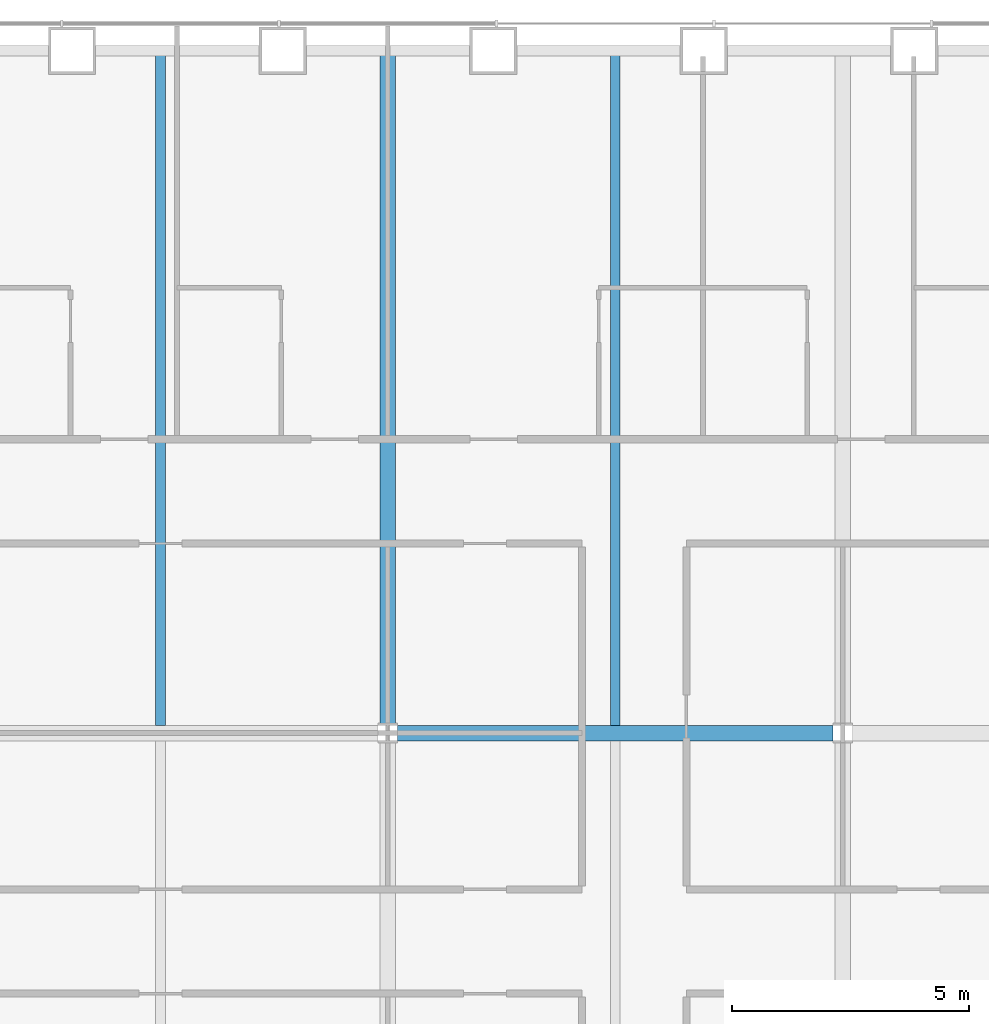
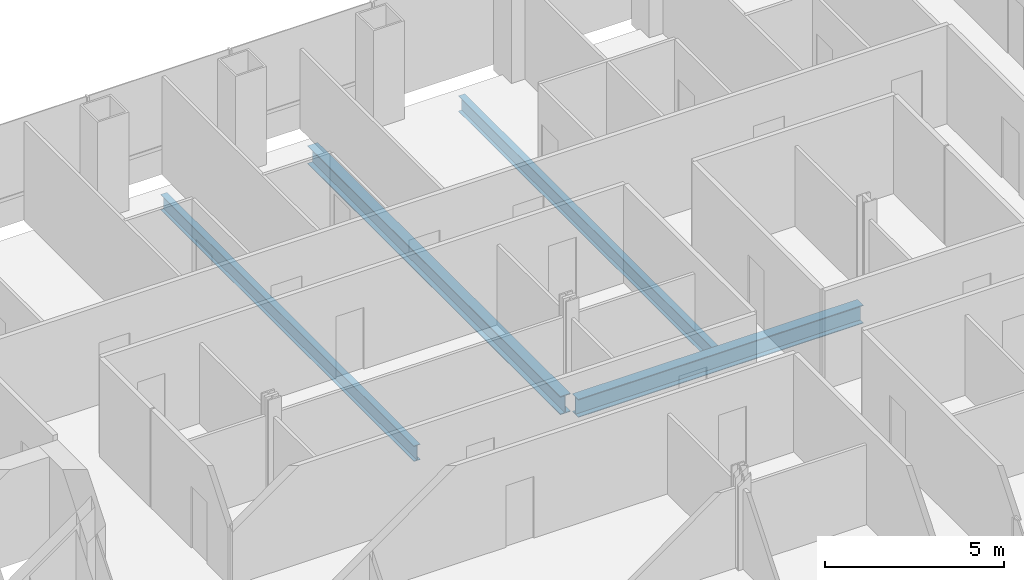
# One storey, part 8 of 23: 4 beams.
"""IFC4 building model written with IfcOpenShell, lengths in metres."""

from ifc_helpers import new_model, si_unit, direction, frame, origin, origin_2d, place, context, subcontext, project, spatial, i_section, extrude, material, material_profile, profile_set, type_object, element, save


model = new_model("IFC4")

# Units and contexts
model_context = context("Model", 3, precision=1e-05, world=origin(), true_north=direction((0.0, 1.0)))
body_context = subcontext(model_context, "Body", "Model", "MODEL_VIEW")
ifc_project = project(units=[si_unit("LENGTHUNIT", "METRE"), si_unit("AREAUNIT", "SQUARE_METRE"), si_unit("VOLUMEUNIT", "CUBIC_METRE"), si_unit("PLANEANGLEUNIT", "RADIAN"), si_unit("MASSUNIT", "GRAM", prefix="KILO")], contexts=[model_context])

# Site, building, storey
site_placement = place(None, origin())
site = spatial("IfcSite", under=ifc_project, at=site_placement, CompositionType="ELEMENT")
building_placement = place(site_placement, origin())
building = spatial("IfcBuilding", under=site, at=building_placement, Name="Cobrizo Arcos Hotel Tower", CompositionType="ELEMENT")
storey_placement = place(building_placement, frame((0.0, 0.0, 49.5)))
storey = spatial("IfcBuildingStorey", under=building, at=storey_placement, Name="L10", CompositionType="ELEMENT", Elevation=49.5)

# Beams
ifc_material = material(Name="Steel ASTM A992 Grade 50", Category="steel")
ifc_material_profile_1 = material_profile(ifc_material, i_section(OverallWidth=0.209228515625, OverallDepth=0.533447265625, WebThickness=0.01025390625, FlangeThickness=0.015625, at=origin_2d()), Name="W21X62")
ifc_profile_set_1 = profile_set([ifc_material_profile_1], Name="Steel ASTM A992 Grade 50")
beam_type_1 = type_object("IfcBeamType", Name="W21X62 joist", PredefinedType="JOIST", material=ifc_profile_set_1)
for number, where, z_axis, x_axis, name in (
    (1, (-4.800048828125, 9.763916015625, -0.416748046875), (0.0, 1.0, 0.0), (-1.0, 0.0, 0.0), "Floor joist J1, L10, no. 010"),
    (2, (4.800048828125, 9.763916015625, -0.416748046875), (0.0, 1.0, 0.0), (-1.0, 0.0, 0.0), "Floor joist J1, L10, no. 014"),
):
    element("IfcBeam", number, at=place(storey_placement, frame(where, z_axis=z_axis, x_axis=x_axis)), inside=storey, type_object=beam_type_1, Name=name, PredefinedType="JOIST", context=body_context, shape_type="SweptSolid", body=[
        extrude(i_section(OverallWidth=0.209228515625, OverallDepth=0.533447265625, WebThickness=0.01025390625, FlangeThickness=0.015625, at=origin_2d()), origin(), (0.0, 0.0, 1.0), 14.14599609375),
    ])
ifc_material_profile_2 = material_profile(ifc_material, i_section(OverallWidth=0.32763671875, OverallDepth=0.622314453125, WebThickness=0.015380859375, FlangeThickness=0.0244140625, at=origin_2d()), Name="W24X131")
ifc_profile_set_2 = profile_set([ifc_material_profile_2], Name="Steel ASTM A992 Grade 50")
beam_type_2 = type_object("IfcBeamType", Name="W24X131 girder", PredefinedType="BEAM", material=ifc_profile_set_2)
beam_1_placement = place(storey_placement, frame((0.204345703125, 9.60009765625, -0.461181640625), z_axis=(1.0, 0.0, 0.0), x_axis=(0.0, 1.0, 0.0)))
element("IfcBeam", 3, at=beam_1_placement, inside=storey, type_object=beam_type_2, Name="Floor girder G1, L10, no. 011", PredefinedType="BEAM", context=body_context, shape_type="SweptSolid", body=[
    extrude(i_section(OverallWidth=0.32763671875, OverallDepth=0.622314453125, WebThickness=0.015380859375, FlangeThickness=0.0244140625, at=origin_2d()), origin(), (0.0, 0.0, 1.0), 9.191162109375),
])
beam_2_placement = place(storey_placement, frame((0.0, 9.804443359375, -0.461181640625), z_axis=(0.0, 1.0, 0.0), x_axis=(-1.0, 0.0, 0.0)))
element("IfcBeam", 4, at=beam_2_placement, inside=storey, type_object=beam_type_2, Name="Floor girder G1, L10, no. 020", PredefinedType="BEAM", context=body_context, shape_type="SweptSolid", body=[
    extrude(i_section(OverallWidth=0.32763671875, OverallDepth=0.622314453125, WebThickness=0.015380859375, FlangeThickness=0.0244140625, at=origin_2d()), origin(), (0.0, 0.0, 1.0), 14.10546875),
])

save(model, "model.ifc")
